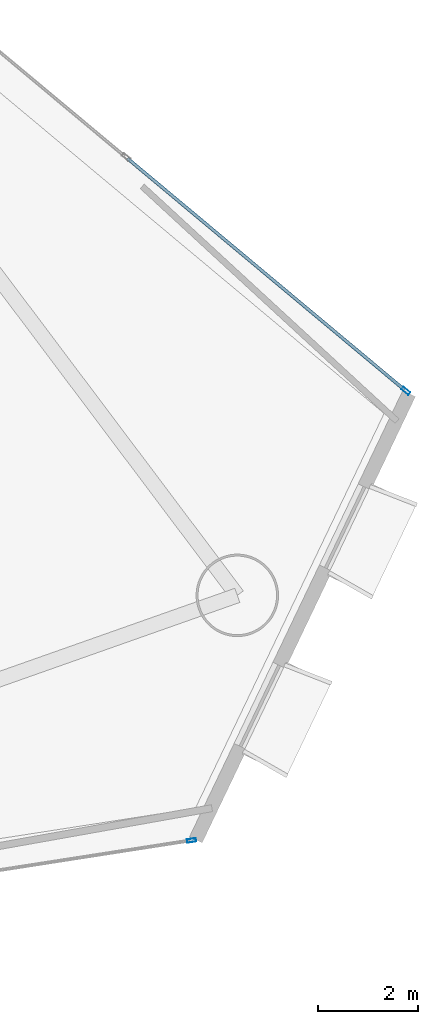
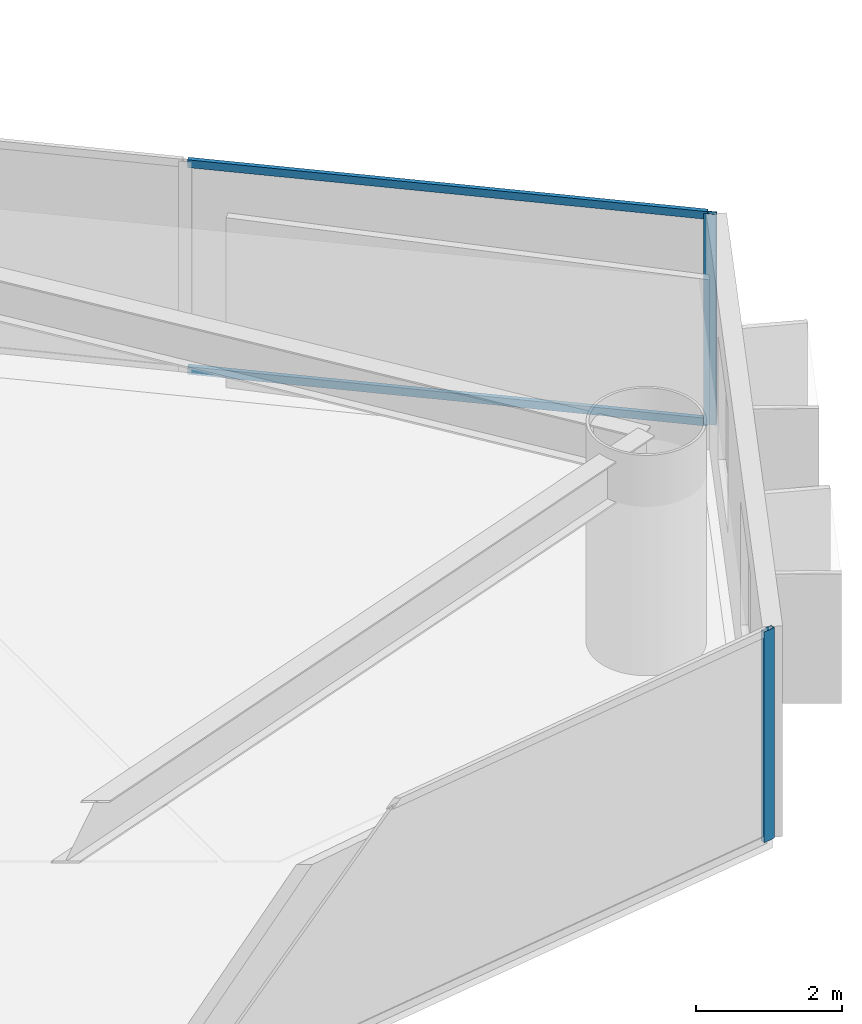
# One storey, part 13 of 23: 4 members, 2 elements without a shape of their own.
"""IFC4 building model written with IfcOpenShell, lengths in metres."""

from ifc_helpers import new_model, si_unit, direction, frame, origin, origin_2d, place, context, subcontext, project, spatial, hollow_rectangle, extrude, material, layer, layer_set, material_profile, profile_set, type_object, element, aggregate, save


model = new_model("IFC4")

# Units and contexts
model_context = context("Model", 3, precision=1e-05, world=origin(), true_north=direction((0.0, 1.0)))
body_context = subcontext(model_context, "Body", "Model", "MODEL_VIEW")
ifc_project = project(units=[si_unit("LENGTHUNIT", "METRE"), si_unit("AREAUNIT", "SQUARE_METRE"), si_unit("VOLUMEUNIT", "CUBIC_METRE"), si_unit("PLANEANGLEUNIT", "RADIAN"), si_unit("MASSUNIT", "GRAM", prefix="KILO")], contexts=[model_context])

# Site, building, storey
site_placement = place(None, origin())
site = spatial("IfcSite", under=ifc_project, at=site_placement, CompositionType="ELEMENT")
building_placement = place(site_placement, origin())
building = spatial("IfcBuilding", under=site, at=building_placement, Name="Qianvela Tower", CompositionType="ELEMENT")
storey_placement = place(building_placement, frame((0.0, 0.0, 78.39990234375)))
storey = spatial("IfcBuildingStorey", under=building, at=storey_placement, Name="L19", CompositionType="ELEMENT", Elevation=78.39990234375)

# Curtain wall, member
ifc_material_1 = material(Name="Anodised Architectural Aluminium and Low-E Glass", Category="aluminium")
ifc_layer = layer(ifc_material_1, 0.179931640625)
ifc_layer_set = layer_set([ifc_layer], Name="Anodised Architectural Aluminium and Low-E Glass")
curtain_wall_type = type_object("IfcCurtainWallType", Name="CW-COLIV-Z12", PredefinedType="USERDEFINED", material=ifc_layer_set)
curtain_wall_1_placement = place(storey_placement, origin())
curtain_wall_1 = element("IfcCurtainWall", 1, at=curtain_wall_1_placement, inside=storey, type_object=curtain_wall_type, Name="L19 CW-COLIV-Z12 Curtain Wall 02A", ObjectType="CURTAIN_WALL_SYSTEM", PredefinedType="USERDEFINED")
ifc_material_2 = material(Name="Anodised Architectural Aluminium 6063-T6", Category="aluminium")
ifc_material_profile_1 = material_profile(ifc_material_2, hollow_rectangle(XDim=0.070068359375, YDim=0.179931640625, WallThickness=0.0048828125, at=origin_2d()), Name="ALU-MULL-70x180")
ifc_profile_set_1 = profile_set([ifc_material_profile_1], Name="Anodised Architectural Aluminium 6063-T6")
member_type_1 = type_object("IfcMemberType", Name="CW-COLIV-Z12-MULL", PredefinedType="MULLION", material=ifc_profile_set_1)
member_1_placement = place(storey_placement, frame((59.569580078125, 24.5576171875, 0.0), z_axis=(0.0, 0.0, 1.0), x_axis=(-0.641086326125, -0.767468776209, 0.0)))
member_1 = element("IfcMember", 2, at=member_1_placement, type_object=member_type_1, Name="CW-3 mullion 1", PredefinedType="MULLION", context=body_context, shape_type="SweptSolid", body=[
    extrude(hollow_rectangle(XDim=0.070068359375, YDim=0.179931640625, WallThickness=0.0048828125, at=origin_2d()), origin(), (0.0, 0.0, 1.0), 3.52001953125),
])

curtain_wall_2_placement = place(storey_placement, origin())
curtain_wall_2 = element("IfcCurtainWall", 3, at=curtain_wall_2_placement, inside=storey, type_object=curtain_wall_type, Name="L19 CW-COLIV-Z12 Curtain Wall 06C", ObjectType="CURTAIN_WALL_SYSTEM", PredefinedType="USERDEFINED")
member_2_placement = place(storey_placement, frame((55.285888671875, 15.565673828125, 0.0), z_axis=(0.0, 0.0, 1.0), x_axis=(-0.153557238103, 0.988139754603, 0.0)))
member_2 = element("IfcMember", 4, at=member_2_placement, type_object=member_type_1, Name="CW-3 mullion 2", PredefinedType="MULLION", context=body_context, shape_type="SweptSolid", body=[
    extrude(hollow_rectangle(XDim=0.070068359375, YDim=0.179931640625, WallThickness=0.0048828125, at=origin_2d()), origin(), (0.0, 0.0, 1.0), 3.52001953125),
])
aggregate(curtain_wall_2, [member_2])

# Member
ifc_material_3 = material(Name="Anodised Architectural Aluminium 6063-T6", Category="aluminium")
ifc_material_profile_2 = material_profile(ifc_material_3, hollow_rectangle(XDim=0.06494140625, YDim=0.1298828125, WallThickness=0.00439453125, at=origin_2d()), Name="ALU-TRAN-65x130")
ifc_profile_set_2 = profile_set([ifc_material_profile_2], Name="Anodised Architectural Aluminium 6063-T6")
member_type_2 = type_object("IfcMemberType", Name="CW-COLIV-Z12-TRAN", PredefinedType="USERDEFINED", material=ifc_profile_set_2)
member_3_placement = place(storey_placement, frame((59.542724609375, 24.580078125, 0.03271484375), z_axis=(-0.767461291308, 0.641095286478, 0.0), x_axis=(-0.641095286478, -0.767461291308, 0.0)))
member_3 = element("IfcMember", 5, at=member_3_placement, type_object=member_type_2, Name="CW-3 transom 1.1", ObjectType="TRANSOM", PredefinedType="USERDEFINED", context=body_context, shape_type="SweptSolid", body=[
    extrude(hollow_rectangle(XDim=0.06494140625, YDim=0.1298828125, WallThickness=0.00439453125, at=origin_2d()), origin(), (0.0, 0.0, 1.0), 7.219970703125),
])

member_4_placement = place(storey_placement, frame((59.542724609375, 24.580078125, 3.487548828125), z_axis=(-0.767461291308, 0.641095286478, 0.0), x_axis=(-0.641095286478, -0.767461291308, 0.0)))
member_4 = element("IfcMember", 6, at=member_4_placement, type_object=member_type_2, Name="CW-3 transom 1.2", ObjectType="TRANSOM", PredefinedType="USERDEFINED", context=body_context, shape_type="SweptSolid", body=[
    extrude(hollow_rectangle(XDim=0.06494140625, YDim=0.1298828125, WallThickness=0.00439453125, at=origin_2d()), origin(), (0.0, 0.0, 1.0), 7.219970703125),
])

aggregate(curtain_wall_1, [member_1, member_3, member_4])

save(model, "model.ifc")
